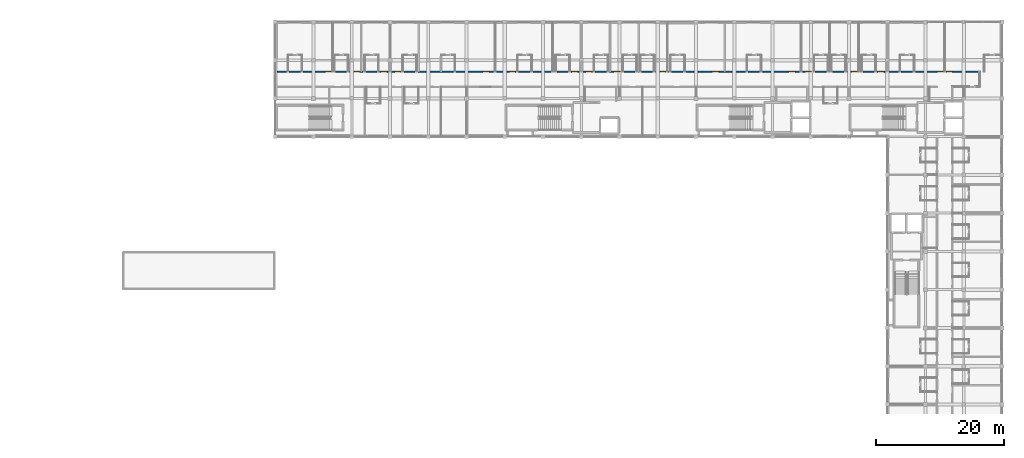
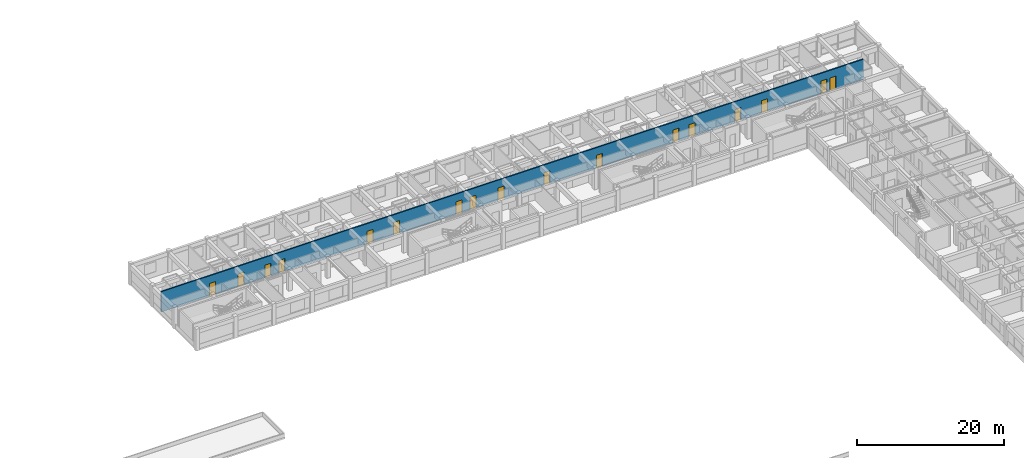
# One storey, part 9 of 25: 17 doors, 1 wall, 17 openings.
"""IFC4 building model written with IfcOpenShell, lengths in metres."""

from ifc_helpers import new_model, si_unit, direction, frame, frame_2d, origin, place, context, subcontext, project, spatial, rectangle, extrude, material, layer, layer_set, type_object, element, fill, save


model = new_model("IFC4")

# Units and contexts
model_context = context("Model", 3, precision=1e-05, world=origin(), true_north=direction((0.0, 1.0)))
body_context = subcontext(model_context, "Body", "Model", "MODEL_VIEW")
ifc_project = project(units=[si_unit("LENGTHUNIT", "METRE"), si_unit("AREAUNIT", "SQUARE_METRE"), si_unit("VOLUMEUNIT", "CUBIC_METRE"), si_unit("PLANEANGLEUNIT", "RADIAN"), si_unit("MASSUNIT", "GRAM", prefix="KILO"), si_unit("THERMODYNAMICTEMPERATUREUNIT", "KELVIN"), si_unit("POWERUNIT", "WATT")], contexts=[model_context])

# Site, building, storey
site_placement = place(None, origin())
site = spatial("IfcSite", under=ifc_project, at=site_placement, CompositionType="ELEMENT")
building_placement = place(site_placement, origin())
building = spatial("IfcBuilding", under=site, at=building_placement, Name="Phaisarnlok Congress Hotel", CompositionType="ELEMENT")
storey_placement = place(building_placement, frame((0.0, 0.0, 24.60009765625)))
storey = spatial("IfcBuildingStorey", under=building, at=storey_placement, Name="L05", CompositionType="ELEMENT", Elevation=24.60009765625)

# Wall, openings, doors
ifc_material_1 = material(Name="Autoclaved Aerated Concrete Block", Category="concrete")
ifc_layer = layer(ifc_material_1, 0.199951171875, Name="Autoclaved Aerated Concrete Block")
ifc_layer_set = layer_set([ifc_layer], Name="Autoclaved Aerated Concrete Block")
wall_type = type_object("IfcWallType", Name="WL-INT-200", PredefinedType="PARTITIONING", material=ifc_layer_set)
wall_placement = place(storey_placement, frame((66.2548828125, 118.199951171875, 0.0), z_axis=(0.0, 0.0, 1.0), x_axis=(1.0, 0.0, 0.0)))
wall = element("IfcWall", 1, at=wall_placement, inside=storey, type_object=wall_type, Name="Interior partition wall IW-02 (L05)", PredefinedType="PARTITIONING", context=body_context, shape_type="SweptSolid", body=[
    extrude(rectangle(XDim=110.2451171875, YDim=0.199951171875, at=frame_2d((55.12255859375, 0.0))), origin(), (0.0, 0.0, 1.0), 3.3798828125),
])
opening_1_placement = place(wall_placement, frame((7.570068359375, 0.0, 0.0)))
opening_1 = element("IfcOpeningElement", 2, at=opening_1_placement, cuts=wall, Name="Opening D-0148", PredefinedType="OPENING", context=body_context, shape_type="SweptSolid", body=[
    extrude(rectangle(XDim=0.949951171875, YDim=2.10009765625, at=frame_2d((0.47509765625, 1.050048828125))), frame((0.0, 0.10986328125, 0.0), z_axis=(0.0, -1.0, 0.0), x_axis=(1.0, 0.0, 0.0)), (0.0, 0.0, 1.0), 0.219970703125),
])
opening_2_placement = place(wall_placement, frame((12.070068359375, 0.0, 0.0)))
opening_2 = element("IfcOpeningElement", 3, at=opening_2_placement, cuts=wall, Name="Opening D-0150", PredefinedType="OPENING", context=body_context, shape_type="SweptSolid", body=[
    extrude(rectangle(XDim=0.949951171875, YDim=2.10009765625, at=frame_2d((0.47509765625, 1.050048828125))), frame((0.0, 0.10986328125, 0.0), z_axis=(0.0, -1.0, 0.0), x_axis=(1.0, 0.0, 0.0)), (0.0, 0.0, 1.0), 0.219970703125),
])
opening_3_placement = place(wall_placement, frame((16.27001953125, 0.0, 0.0)))
opening_3 = element("IfcOpeningElement", 4, at=opening_3_placement, cuts=wall, Name="Opening D-0152", PredefinedType="OPENING", context=body_context, shape_type="SweptSolid", body=[
    extrude(rectangle(XDim=0.949951171875, YDim=2.10009765625, at=frame_2d((0.47509765625, 1.050048828125))), frame((0.0, 0.10986328125, 0.0), z_axis=(0.0, -1.0, 0.0), x_axis=(1.0, 0.0, 0.0)), (0.0, 0.0, 1.0), 0.219970703125),
])
opening_4_placement = place(wall_placement, frame((18.469970703125, 0.0, 0.0)))
opening_4 = element("IfcOpeningElement", 5, at=opening_4_placement, cuts=wall, Name="Opening D-0154", PredefinedType="OPENING", context=body_context, shape_type="SweptSolid", body=[
    extrude(rectangle(XDim=0.949951171875, YDim=2.10009765625, at=frame_2d((0.47509765625, 1.050048828125))), frame((0.0, 0.10986328125, 0.0), z_axis=(0.0, -1.0, 0.0), x_axis=(1.0, 0.0, 0.0)), (0.0, 0.0, 1.0), 0.219970703125),
])
opening_5_placement = place(wall_placement, frame((32.320068359375, 0.0, 0.0)))
opening_5 = element("IfcOpeningElement", 6, at=opening_5_placement, cuts=wall, Name="Opening D-0156", PredefinedType="OPENING", context=body_context, shape_type="SweptSolid", body=[
    extrude(rectangle(XDim=0.949951171875, YDim=2.10009765625, at=frame_2d((0.47509765625, 1.050048828125))), frame((0.0, 0.10986328125, 0.0), z_axis=(0.0, -1.0, 0.0), x_axis=(1.0, 0.0, 0.0)), (0.0, 0.0, 1.0), 0.219970703125),
])
opening_6_placement = place(wall_placement, frame((36.469970703125, 0.0, 0.0)))
opening_6 = element("IfcOpeningElement", 7, at=opening_6_placement, cuts=wall, Name="Opening D-0158", PredefinedType="OPENING", context=body_context, shape_type="SweptSolid", body=[
    extrude(rectangle(XDim=0.949951171875, YDim=2.10009765625, at=frame_2d((0.47509765625, 1.050048828125))), frame((0.0, 0.10986328125, 0.0), z_axis=(0.0, -1.0, 0.0), x_axis=(1.0, 0.0, 0.0)), (0.0, 0.0, 1.0), 0.219970703125),
])
opening_7_placement = place(wall_placement, frame((46.27001953125, 0.0, 0.0)))
opening_7 = element("IfcOpeningElement", 8, at=opening_7_placement, cuts=wall, Name="Opening D-0160", PredefinedType="OPENING", context=body_context, shape_type="SweptSolid", body=[
    extrude(rectangle(XDim=0.949951171875, YDim=2.10009765625, at=frame_2d((0.47509765625, 1.050048828125))), frame((0.0, 0.10986328125, 0.0), z_axis=(0.0, -1.0, 0.0), x_axis=(1.0, 0.0, 0.0)), (0.0, 0.0, 1.0), 0.219970703125),
])
opening_8_placement = place(wall_placement, frame((48.469970703125, 0.0, 0.0)))
opening_8 = element("IfcOpeningElement", 9, at=opening_8_placement, cuts=wall, Name="Opening D-0162", PredefinedType="OPENING", context=body_context, shape_type="SweptSolid", body=[
    extrude(rectangle(XDim=0.949951171875, YDim=2.10009765625, at=frame_2d((0.47509765625, 1.050048828125))), frame((0.0, 0.10986328125, 0.0), z_axis=(0.0, -1.0, 0.0), x_axis=(1.0, 0.0, 0.0)), (0.0, 0.0, 1.0), 0.219970703125),
])
opening_9_placement = place(wall_placement, frame((52.8701171875, 0.0, 0.0)))
opening_9 = element("IfcOpeningElement", 10, at=opening_9_placement, cuts=wall, Name="Opening D-0164", PredefinedType="OPENING", context=body_context, shape_type="SweptSolid", body=[
    extrude(rectangle(XDim=0.949951171875, YDim=2.10009765625, at=frame_2d((0.47509765625, 1.050048828125))), frame((0.0, 0.10986328125, 0.0), z_axis=(0.0, -1.0, 0.0), x_axis=(1.0, 0.0, 0.0)), (0.0, 0.0, 1.0), 0.219970703125),
])
opening_10_placement = place(wall_placement, frame((60.070068359375, 0.0, 0.0)))
opening_10 = element("IfcOpeningElement", 11, at=opening_10_placement, cuts=wall, Name="Opening D-0166", PredefinedType="OPENING", context=body_context, shape_type="SweptSolid", body=[
    extrude(rectangle(XDim=0.949951171875, YDim=2.10009765625, at=frame_2d((0.47509765625, 1.050048828125))), frame((0.0, 0.10986328125, 0.0), z_axis=(0.0, -1.0, 0.0), x_axis=(1.0, 0.0, 0.0)), (0.0, 0.0, 1.0), 0.219970703125),
])
opening_11_placement = place(wall_placement, frame((68.320068359375, 0.0, 0.0)))
opening_11 = element("IfcOpeningElement", 12, at=opening_11_placement, cuts=wall, Name="Opening D-0168", PredefinedType="OPENING", context=body_context, shape_type="SweptSolid", body=[
    extrude(rectangle(XDim=0.949951171875, YDim=2.10009765625, at=frame_2d((0.47509765625, 1.050048828125))), frame((0.0, 0.10986328125, 0.0), z_axis=(0.0, -1.0, 0.0), x_axis=(1.0, 0.0, 0.0)), (0.0, 0.0, 1.0), 0.219970703125),
])
opening_12_placement = place(wall_placement, frame((80.320068359375, 0.0, 0.0)))
opening_12 = element("IfcOpeningElement", 13, at=opening_12_placement, cuts=wall, Name="Opening D-0170", PredefinedType="OPENING", context=body_context, shape_type="SweptSolid", body=[
    extrude(rectangle(XDim=0.949951171875, YDim=2.10009765625, at=frame_2d((0.47509765625, 1.050048828125))), frame((0.0, 0.10986328125, 0.0), z_axis=(0.0, -1.0, 0.0), x_axis=(1.0, 0.0, 0.0)), (0.0, 0.0, 1.0), 0.219970703125),
])
opening_13_placement = place(wall_placement, frame((82.8701171875, 0.0, 0.0)))
opening_13 = element("IfcOpeningElement", 14, at=opening_13_placement, cuts=wall, Name="Opening D-0172", PredefinedType="OPENING", context=body_context, shape_type="SweptSolid", body=[
    extrude(rectangle(XDim=0.949951171875, YDim=2.10009765625, at=frame_2d((0.47509765625, 1.050048828125))), frame((0.0, 0.10986328125, 0.0), z_axis=(0.0, -1.0, 0.0), x_axis=(1.0, 0.0, 0.0)), (0.0, 0.0, 1.0), 0.219970703125),
])
opening_14_placement = place(wall_placement, frame((90.070068359375, 0.0, 0.0)))
opening_14 = element("IfcOpeningElement", 15, at=opening_14_placement, cuts=wall, Name="Opening D-0174", PredefinedType="OPENING", context=body_context, shape_type="SweptSolid", body=[
    extrude(rectangle(XDim=0.949951171875, YDim=2.10009765625, at=frame_2d((0.47509765625, 1.050048828125))), frame((0.0, 0.10986328125, 0.0), z_axis=(0.0, -1.0, 0.0), x_axis=(1.0, 0.0, 0.0)), (0.0, 0.0, 1.0), 0.219970703125),
])
opening_15_placement = place(wall_placement, frame((94.27001953125, 0.0, 0.0)))
opening_15 = element("IfcOpeningElement", 16, at=opening_15_placement, cuts=wall, Name="Opening D-0176", PredefinedType="OPENING", context=body_context, shape_type="SweptSolid", body=[
    extrude(rectangle(XDim=0.949951171875, YDim=2.10009765625, at=frame_2d((0.47509765625, 1.050048828125))), frame((0.0, 0.10986328125, 0.0), z_axis=(0.0, -1.0, 0.0), x_axis=(1.0, 0.0, 0.0)), (0.0, 0.0, 1.0), 0.219970703125),
])
opening_16_placement = place(wall_placement, frame((103.570068359375, 0.0, 0.0)))
opening_16 = element("IfcOpeningElement", 17, at=opening_16_placement, cuts=wall, Name="Opening D-0178", PredefinedType="OPENING", context=body_context, shape_type="SweptSolid", body=[
    extrude(rectangle(XDim=0.949951171875, YDim=2.10009765625, at=frame_2d((0.47509765625, 1.050048828125))), frame((0.0, 0.10986328125, 0.0), z_axis=(0.0, -1.0, 0.0), x_axis=(1.0, 0.0, 0.0)), (0.0, 0.0, 1.0), 0.219970703125),
])
opening_17_placement = place(wall_placement, frame((104.969970703125, 0.0, 0.0)))
opening_17 = element("IfcOpeningElement", 18, at=opening_17_placement, cuts=wall, Name="Opening D-0180", PredefinedType="OPENING", context=body_context, shape_type="SweptSolid", body=[
    extrude(rectangle(XDim=0.949951171875, YDim=2.10009765625, at=frame_2d((0.47509765625, 1.050048828125))), frame((0.0, 0.10986328125, 0.0), z_axis=(0.0, -1.0, 0.0), x_axis=(1.0, 0.0, 0.0)), (0.0, 0.0, 1.0), 0.219970703125),
])
ifc_material_2 = material(Name="Acoustic Solid-Core Teak Veneer", Category="wood")
door_type = type_object("IfcDoorType", Name="DR-FD30-950", OperationType="NOTDEFINED", PredefinedType="DOOR", material=ifc_material_2)
door_1_placement = place(opening_1_placement, origin())
door_1 = element("IfcDoor", 19, at=door_1_placement, inside=storey, type_object=door_type, Name="Interior door D-0148 (L05)", OperationType="SINGLE_SWING_RIGHT", OverallHeight=2.10009765625, OverallWidth=0.949951171875, PredefinedType="DOOR", context=body_context, shape_type="SweptSolid", body=[
    extrude(rectangle(XDim=0.949951171875, YDim=2.10009765625, at=frame_2d((0.47509765625, 1.050048828125))), frame((0.0, 0.02490234375, 0.0), z_axis=(0.0, -1.0, 0.0), x_axis=(1.0, 0.0, 0.0)), (0.0, 0.0, 1.0), 0.050048828125),
])
fill(opening_1, door_1)
door_2_placement = place(opening_2_placement, origin())
door_2 = element("IfcDoor", 20, at=door_2_placement, inside=storey, type_object=door_type, Name="Interior door D-0150 (L05)", OperationType="SINGLE_SWING_RIGHT", OverallHeight=2.10009765625, OverallWidth=0.949951171875, PredefinedType="DOOR", context=body_context, shape_type="SweptSolid", body=[
    extrude(rectangle(XDim=0.949951171875, YDim=2.10009765625, at=frame_2d((0.47509765625, 1.050048828125))), frame((0.0, 0.02490234375, 0.0), z_axis=(0.0, -1.0, 0.0), x_axis=(1.0, 0.0, 0.0)), (0.0, 0.0, 1.0), 0.050048828125),
])
fill(opening_2, door_2)
door_3_placement = place(opening_3_placement, origin())
door_3 = element("IfcDoor", 21, at=door_3_placement, inside=storey, type_object=door_type, Name="Interior door D-0152 (L05)", OperationType="SINGLE_SWING_RIGHT", OverallHeight=2.10009765625, OverallWidth=0.949951171875, PredefinedType="DOOR", context=body_context, shape_type="SweptSolid", body=[
    extrude(rectangle(XDim=0.949951171875, YDim=2.10009765625, at=frame_2d((0.47509765625, 1.050048828125))), frame((0.0, 0.02490234375, 0.0), z_axis=(0.0, -1.0, 0.0), x_axis=(1.0, 0.0, 0.0)), (0.0, 0.0, 1.0), 0.050048828125),
])
fill(opening_3, door_3)
door_4_placement = place(opening_4_placement, origin())
door_4 = element("IfcDoor", 22, at=door_4_placement, inside=storey, type_object=door_type, Name="Interior door D-0154 (L05)", OperationType="SINGLE_SWING_RIGHT", OverallHeight=2.10009765625, OverallWidth=0.949951171875, PredefinedType="DOOR", context=body_context, shape_type="SweptSolid", body=[
    extrude(rectangle(XDim=0.949951171875, YDim=2.10009765625, at=frame_2d((0.47509765625, 1.050048828125))), frame((0.0, 0.02490234375, 0.0), z_axis=(0.0, -1.0, 0.0), x_axis=(1.0, 0.0, 0.0)), (0.0, 0.0, 1.0), 0.050048828125),
])
fill(opening_4, door_4)
door_5_placement = place(opening_5_placement, origin())
door_5 = element("IfcDoor", 23, at=door_5_placement, inside=storey, type_object=door_type, Name="Interior door D-0156 (L05)", OperationType="SINGLE_SWING_RIGHT", OverallHeight=2.10009765625, OverallWidth=0.949951171875, PredefinedType="DOOR", context=body_context, shape_type="SweptSolid", body=[
    extrude(rectangle(XDim=0.949951171875, YDim=2.10009765625, at=frame_2d((0.47509765625, 1.050048828125))), frame((0.0, 0.02490234375, 0.0), z_axis=(0.0, -1.0, 0.0), x_axis=(1.0, 0.0, 0.0)), (0.0, 0.0, 1.0), 0.050048828125),
])
fill(opening_5, door_5)
door_6_placement = place(opening_6_placement, origin())
door_6 = element("IfcDoor", 24, at=door_6_placement, inside=storey, type_object=door_type, Name="Interior door D-0158 (L05)", OperationType="SINGLE_SWING_RIGHT", OverallHeight=2.10009765625, OverallWidth=0.949951171875, PredefinedType="DOOR", context=body_context, shape_type="SweptSolid", body=[
    extrude(rectangle(XDim=0.949951171875, YDim=2.10009765625, at=frame_2d((0.47509765625, 1.050048828125))), frame((0.0, 0.02490234375, 0.0), z_axis=(0.0, -1.0, 0.0), x_axis=(1.0, 0.0, 0.0)), (0.0, 0.0, 1.0), 0.050048828125),
])
fill(opening_6, door_6)
door_7_placement = place(opening_7_placement, origin())
door_7 = element("IfcDoor", 25, at=door_7_placement, inside=storey, type_object=door_type, Name="Interior door D-0160 (L05)", OperationType="SINGLE_SWING_RIGHT", OverallHeight=2.10009765625, OverallWidth=0.949951171875, PredefinedType="DOOR", context=body_context, shape_type="SweptSolid", body=[
    extrude(rectangle(XDim=0.949951171875, YDim=2.10009765625, at=frame_2d((0.47509765625, 1.050048828125))), frame((0.0, 0.02490234375, 0.0), z_axis=(0.0, -1.0, 0.0), x_axis=(1.0, 0.0, 0.0)), (0.0, 0.0, 1.0), 0.050048828125),
])
fill(opening_7, door_7)
door_8_placement = place(opening_8_placement, origin())
door_8 = element("IfcDoor", 26, at=door_8_placement, inside=storey, type_object=door_type, Name="Interior door D-0162 (L05)", OperationType="SINGLE_SWING_RIGHT", OverallHeight=2.10009765625, OverallWidth=0.949951171875, PredefinedType="DOOR", context=body_context, shape_type="SweptSolid", body=[
    extrude(rectangle(XDim=0.949951171875, YDim=2.10009765625, at=frame_2d((0.47509765625, 1.050048828125))), frame((0.0, 0.02490234375, 0.0), z_axis=(0.0, -1.0, 0.0), x_axis=(1.0, 0.0, 0.0)), (0.0, 0.0, 1.0), 0.050048828125),
])
fill(opening_8, door_8)
door_9_placement = place(opening_9_placement, origin())
door_9 = element("IfcDoor", 27, at=door_9_placement, inside=storey, type_object=door_type, Name="Interior door D-0164 (L05)", OperationType="SINGLE_SWING_RIGHT", OverallHeight=2.10009765625, OverallWidth=0.949951171875, PredefinedType="DOOR", context=body_context, shape_type="SweptSolid", body=[
    extrude(rectangle(XDim=0.949951171875, YDim=2.10009765625, at=frame_2d((0.47509765625, 1.050048828125))), frame((0.0, 0.02490234375, 0.0), z_axis=(0.0, -1.0, 0.0), x_axis=(1.0, 0.0, 0.0)), (0.0, 0.0, 1.0), 0.050048828125),
])
fill(opening_9, door_9)
door_10_placement = place(opening_10_placement, origin())
door_10 = element("IfcDoor", 28, at=door_10_placement, inside=storey, type_object=door_type, Name="Interior door D-0166 (L05)", OperationType="SINGLE_SWING_RIGHT", OverallHeight=2.10009765625, OverallWidth=0.949951171875, PredefinedType="DOOR", context=body_context, shape_type="SweptSolid", body=[
    extrude(rectangle(XDim=0.949951171875, YDim=2.10009765625, at=frame_2d((0.47509765625, 1.050048828125))), frame((0.0, 0.02490234375, 0.0), z_axis=(0.0, -1.0, 0.0), x_axis=(1.0, 0.0, 0.0)), (0.0, 0.0, 1.0), 0.050048828125),
])
fill(opening_10, door_10)
door_11_placement = place(opening_11_placement, origin())
door_11 = element("IfcDoor", 29, at=door_11_placement, inside=storey, type_object=door_type, Name="Interior door D-0168 (L05)", OperationType="SINGLE_SWING_RIGHT", OverallHeight=2.10009765625, OverallWidth=0.949951171875, PredefinedType="DOOR", context=body_context, shape_type="SweptSolid", body=[
    extrude(rectangle(XDim=0.949951171875, YDim=2.10009765625, at=frame_2d((0.47509765625, 1.050048828125))), frame((0.0, 0.02490234375, 0.0), z_axis=(0.0, -1.0, 0.0), x_axis=(1.0, 0.0, 0.0)), (0.0, 0.0, 1.0), 0.050048828125),
])
fill(opening_11, door_11)
door_12_placement = place(opening_12_placement, origin())
door_12 = element("IfcDoor", 30, at=door_12_placement, inside=storey, type_object=door_type, Name="Interior door D-0170 (L05)", OperationType="SINGLE_SWING_RIGHT", OverallHeight=2.10009765625, OverallWidth=0.949951171875, PredefinedType="DOOR", context=body_context, shape_type="SweptSolid", body=[
    extrude(rectangle(XDim=0.949951171875, YDim=2.10009765625, at=frame_2d((0.47509765625, 1.050048828125))), frame((0.0, 0.02490234375, 0.0), z_axis=(0.0, -1.0, 0.0), x_axis=(1.0, 0.0, 0.0)), (0.0, 0.0, 1.0), 0.050048828125),
])
fill(opening_12, door_12)
door_13_placement = place(opening_13_placement, origin())
door_13 = element("IfcDoor", 31, at=door_13_placement, inside=storey, type_object=door_type, Name="Interior door D-0172 (L05)", OperationType="SINGLE_SWING_RIGHT", OverallHeight=2.10009765625, OverallWidth=0.949951171875, PredefinedType="DOOR", context=body_context, shape_type="SweptSolid", body=[
    extrude(rectangle(XDim=0.949951171875, YDim=2.10009765625, at=frame_2d((0.47509765625, 1.050048828125))), frame((0.0, 0.02490234375, 0.0), z_axis=(0.0, -1.0, 0.0), x_axis=(1.0, 0.0, 0.0)), (0.0, 0.0, 1.0), 0.050048828125),
])
fill(opening_13, door_13)
door_14_placement = place(opening_14_placement, origin())
door_14 = element("IfcDoor", 32, at=door_14_placement, inside=storey, type_object=door_type, Name="Interior door D-0174 (L05)", OperationType="SINGLE_SWING_RIGHT", OverallHeight=2.10009765625, OverallWidth=0.949951171875, PredefinedType="DOOR", context=body_context, shape_type="SweptSolid", body=[
    extrude(rectangle(XDim=0.949951171875, YDim=2.10009765625, at=frame_2d((0.47509765625, 1.050048828125))), frame((0.0, 0.02490234375, 0.0), z_axis=(0.0, -1.0, 0.0), x_axis=(1.0, 0.0, 0.0)), (0.0, 0.0, 1.0), 0.050048828125),
])
fill(opening_14, door_14)
door_15_placement = place(opening_15_placement, origin())
door_15 = element("IfcDoor", 33, at=door_15_placement, inside=storey, type_object=door_type, Name="Interior door D-0176 (L05)", OperationType="SINGLE_SWING_RIGHT", OverallHeight=2.10009765625, OverallWidth=0.949951171875, PredefinedType="DOOR", context=body_context, shape_type="SweptSolid", body=[
    extrude(rectangle(XDim=0.949951171875, YDim=2.10009765625, at=frame_2d((0.47509765625, 1.050048828125))), frame((0.0, 0.02490234375, 0.0), z_axis=(0.0, -1.0, 0.0), x_axis=(1.0, 0.0, 0.0)), (0.0, 0.0, 1.0), 0.050048828125),
])
fill(opening_15, door_15)
door_16_placement = place(opening_16_placement, origin())
door_16 = element("IfcDoor", 34, at=door_16_placement, inside=storey, type_object=door_type, Name="Interior door D-0178 (L05)", OperationType="SINGLE_SWING_RIGHT", OverallHeight=2.10009765625, OverallWidth=0.949951171875, PredefinedType="DOOR", context=body_context, shape_type="SweptSolid", body=[
    extrude(rectangle(XDim=0.949951171875, YDim=2.10009765625, at=frame_2d((0.47509765625, 1.050048828125))), frame((0.0, 0.02490234375, 0.0), z_axis=(0.0, -1.0, 0.0), x_axis=(1.0, 0.0, 0.0)), (0.0, 0.0, 1.0), 0.050048828125),
])
fill(opening_16, door_16)
door_17_placement = place(opening_17_placement, origin())
door_17 = element("IfcDoor", 35, at=door_17_placement, inside=storey, type_object=door_type, Name="Interior door D-0180 (L05)", OperationType="SINGLE_SWING_RIGHT", OverallHeight=2.10009765625, OverallWidth=0.949951171875, PredefinedType="DOOR", context=body_context, shape_type="SweptSolid", body=[
    extrude(rectangle(XDim=0.949951171875, YDim=2.10009765625, at=frame_2d((0.47509765625, 1.050048828125))), frame((0.0, 0.02490234375, 0.0), z_axis=(0.0, -1.0, 0.0), x_axis=(1.0, 0.0, 0.0)), (0.0, 0.0, 1.0), 0.050048828125),
])
fill(opening_17, door_17)

save(model, "model.ifc")
